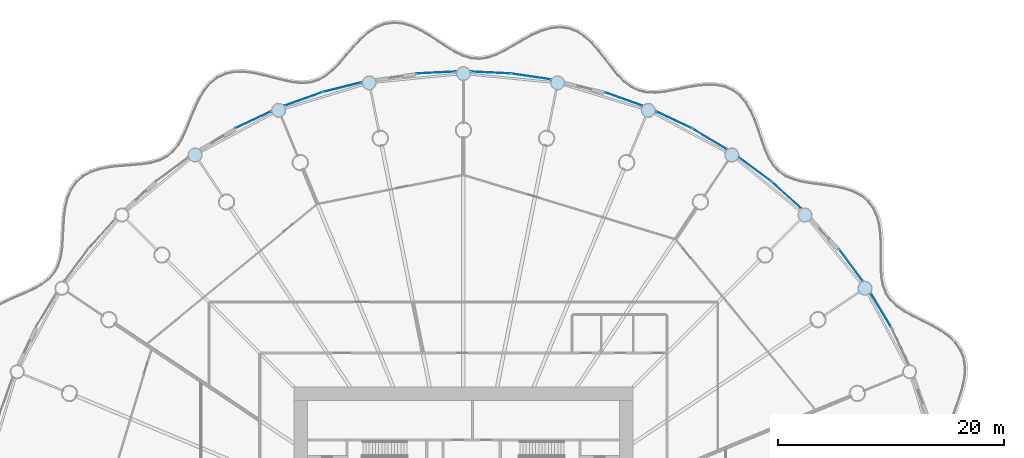
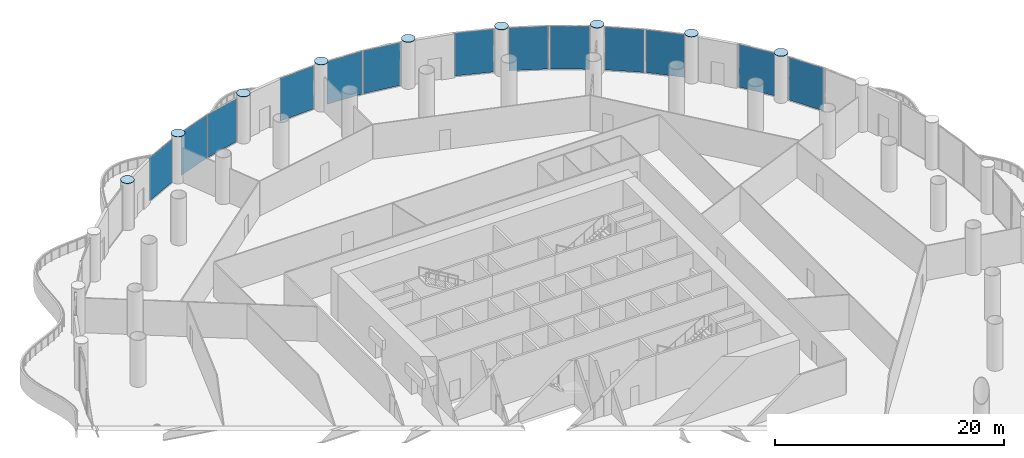
# One storey, part 23 of 38: 22 plates, 13 elements without a shape of their own.
"""IFC4 building model written with IfcOpenShell, lengths in metres."""

from ifc_helpers import new_model, si_unit, direction, frame, origin, origin_2d, place, context, subcontext, project, spatial, polyline, rectangle, outline, extrude, material, layer, layer_set, type_object, element, aggregate, save


model = new_model("IFC4")

# Units and contexts
model_context = context("Model", 3, precision=1e-05, world=origin(), true_north=direction((0.0, 1.0)))
body_context = subcontext(model_context, "Body", "Model", "MODEL_VIEW")
ifc_project = project(units=[si_unit("LENGTHUNIT", "METRE"), si_unit("AREAUNIT", "SQUARE_METRE"), si_unit("VOLUMEUNIT", "CUBIC_METRE"), si_unit("PLANEANGLEUNIT", "RADIAN"), si_unit("MASSUNIT", "GRAM", prefix="KILO")], contexts=[model_context])

# Site, building, storey
site_placement = place(None, origin())
site = spatial("IfcSite", under=ifc_project, at=site_placement, CompositionType="ELEMENT")
building_placement = place(site_placement, origin())
building = spatial("IfcBuilding", under=site, at=building_placement, Name="Corvane Civic Tower", CompositionType="ELEMENT")
storey_placement = place(building_placement, frame((0.0, 0.0, 32.0)))
storey = spatial("IfcBuildingStorey", under=building, at=storey_placement, Name="L06", CompositionType="ELEMENT", Elevation=32.0)

# Plates
ifc_material_1 = material(Name="Steel ASTM A572 Gr 50", Category="steel")
ifc_layer_1 = layer(ifc_material_1, 0.050048828125)
ifc_layer_set_1 = layer_set([ifc_layer_1], Name="Steel ASTM A572 Gr 50")
plate_type_1 = type_object("IfcPlateType", Name="COLUMN CAP PLATE 50", PredefinedType="SHEET", material=ifc_layer_set_1)
plate_1_placement = place(storey_placement, frame((0.0, 0.0, 5.0)))
element("IfcPlate", 1, at=plate_1_placement, inside=storey, type_object=plate_type_1, Name="PL-L06-cap-G01", PredefinedType="SHEET", context=body_context, shape_type="SweptSolid", body=[
    extrude(outline(polyline([(0.60009765625, 42.699951171875), (0.594970703125, 42.7783203125), (0.57958984375, 42.855224609375), (0.55419921875, 42.9296875), (0.51953125, 43.0), (0.47607421875, 43.065185546875), (0.42431640625, 43.124267578125), (0.365234375, 43.176025390625), (0.300048828125, 43.219482421875), (0.2294921875, 43.25439453125), (0.1552734375, 43.279541015625), (0.078369140625, 43.294921875), (0.0, 43.300048828125), (-0.078369140625, 43.294921875), (-0.1552734375, 43.279541015625), (-0.2294921875, 43.25439453125), (-0.300048828125, 43.219482421875), (-0.365234375, 43.176025390625), (-0.42431640625, 43.124267578125), (-0.47607421875, 43.065185546875), (-0.51953125, 43.0), (-0.55419921875, 42.9296875), (-0.57958984375, 42.855224609375), (-0.594970703125, 42.7783203125), (-0.60009765625, 42.699951171875), (-0.594970703125, 42.62158203125), (-0.57958984375, 42.544677734375), (-0.55419921875, 42.47021484375), (-0.51953125, 42.39990234375), (-0.47607421875, 42.334716796875), (-0.42431640625, 42.275634765625), (-0.365234375, 42.223876953125), (-0.300048828125, 42.180419921875), (-0.2294921875, 42.1455078125), (-0.1552734375, 42.120361328125), (-0.078369140625, 42.10498046875), (0.0, 42.10009765625), (0.078369140625, 42.10498046875), (0.1552734375, 42.120361328125), (0.2294921875, 42.1455078125), (0.300048828125, 42.180419921875), (0.365234375, 42.223876953125), (0.42431640625, 42.275634765625), (0.47607421875, 42.334716796875), (0.51953125, 42.39990234375), (0.55419921875, 42.47021484375), (0.57958984375, 42.544677734375), (0.594970703125, 42.62158203125), (0.60009765625, 42.699951171875)])), origin(), (0.0, 0.0, 1.0), 0.050048828125),
])
plate_2_placement = place(storey_placement, frame((0.0, 0.0, 5.0)))
element("IfcPlate", 2, at=plate_2_placement, inside=storey, type_object=plate_type_1, Name="PL-L06-cap-G02", PredefinedType="SHEET", context=body_context, shape_type="SweptSolid", body=[
    extrude(outline(polyline([(8.930419921875, 41.879638671875), (8.92529296875, 41.9580078125), (8.909912109375, 42.034912109375), (8.884521484375, 42.109130859375), (8.849853515625, 42.1796875), (8.806396484375, 42.244873046875), (8.754638671875, 42.303955078125), (8.695556640625, 42.355712890625), (8.63037109375, 42.3994140625), (8.559814453125, 42.43408203125), (8.485595703125, 42.459228515625), (8.40869140625, 42.474609375), (8.330322265625, 42.4794921875), (8.251953125, 42.474609375), (8.175048828125, 42.459228515625), (8.1005859375, 42.43408203125), (8.0302734375, 42.3994140625), (7.965087890625, 42.355712890625), (7.906005859375, 42.303955078125), (7.854248046875, 42.244873046875), (7.810791015625, 42.1796875), (7.77587890625, 42.109130859375), (7.750732421875, 42.034912109375), (7.735595703125, 41.9580078125), (7.730224609375, 41.879638671875), (7.735595703125, 41.80126953125), (7.750732421875, 41.724365234375), (7.77587890625, 41.64990234375), (7.810791015625, 41.57958984375), (7.854248046875, 41.514404296875), (7.906005859375, 41.455322265625), (7.965087890625, 41.403564453125), (8.0302734375, 41.360107421875), (8.1005859375, 41.3251953125), (8.175048828125, 41.300048828125), (8.251953125, 41.284912109375), (8.330322265625, 41.279541015625), (8.40869140625, 41.284912109375), (8.485595703125, 41.300048828125), (8.559814453125, 41.3251953125), (8.63037109375, 41.360107421875), (8.695556640625, 41.403564453125), (8.754638671875, 41.455322265625), (8.806396484375, 41.514404296875), (8.849853515625, 41.57958984375), (8.884521484375, 41.64990234375), (8.909912109375, 41.724365234375), (8.92529296875, 41.80126953125), (8.930419921875, 41.879638671875)])), origin(), (0.0, 0.0, 1.0), 0.050048828125),
])
plate_3_placement = place(storey_placement, frame((0.0, 0.0, 5.0)))
element("IfcPlate", 3, at=plate_3_placement, inside=storey, type_object=plate_type_1, Name="PL-L06-cap-G03", PredefinedType="SHEET", context=body_context, shape_type="SweptSolid", body=[
    extrude(outline(polyline([(16.940673828125, 39.44970703125), (16.935302734375, 39.528076171875), (16.920166015625, 39.60498046875), (16.89501953125, 39.67919921875), (16.860107421875, 39.749755859375), (16.816650390625, 39.81494140625), (16.764892578125, 39.8740234375), (16.705810546875, 39.92578125), (16.640625, 39.96923828125), (16.5703125, 40.00390625), (16.495849609375, 40.029296875), (16.4189453125, 40.044677734375), (16.340576171875, 40.0498046875), (16.26220703125, 40.044677734375), (16.185302734375, 40.029296875), (16.111083984375, 40.00390625), (16.04052734375, 39.96923828125), (15.975341796875, 39.92578125), (15.916259765625, 39.8740234375), (15.864501953125, 39.81494140625), (15.821044921875, 39.749755859375), (15.7861328125, 39.67919921875), (15.760986328125, 39.60498046875), (15.74560546875, 39.528076171875), (15.740478515625, 39.44970703125), (15.74560546875, 39.371337890625), (15.760986328125, 39.29443359375), (15.7861328125, 39.22021484375), (15.821044921875, 39.149658203125), (15.864501953125, 39.08447265625), (15.916259765625, 39.025390625), (15.975341796875, 38.9736328125), (16.04052734375, 38.93017578125), (16.111083984375, 38.8955078125), (16.185302734375, 38.8701171875), (16.26220703125, 38.854736328125), (16.340576171875, 38.849609375), (16.4189453125, 38.854736328125), (16.495849609375, 38.8701171875), (16.5703125, 38.8955078125), (16.640625, 38.93017578125), (16.705810546875, 38.9736328125), (16.764892578125, 39.025390625), (16.816650390625, 39.08447265625), (16.860107421875, 39.149658203125), (16.89501953125, 39.22021484375), (16.920166015625, 39.29443359375), (16.935302734375, 39.371337890625), (16.940673828125, 39.44970703125)])), origin(), (0.0, 0.0, 1.0), 0.050048828125),
])
plate_4_placement = place(storey_placement, frame((0.0, 0.0, 5.0)))
element("IfcPlate", 4, at=plate_4_placement, inside=storey, type_object=plate_type_1, Name="PL-L06-cap-G04", PredefinedType="SHEET", context=body_context, shape_type="SweptSolid", body=[
    extrude(outline(polyline([(24.322998046875, 35.503662109375), (24.31787109375, 35.58203125), (24.302490234375, 35.658935546875), (24.277099609375, 35.7333984375), (24.242431640625, 35.8037109375), (24.198974609375, 35.868896484375), (24.147216796875, 35.927978515625), (24.088134765625, 35.979736328125), (24.02294921875, 36.023193359375), (23.952392578125, 36.05810546875), (23.878173828125, 36.083251953125), (23.80126953125, 36.098388671875), (23.722900390625, 36.103759765625), (23.64453125, 36.098388671875), (23.567626953125, 36.083251953125), (23.493408203125, 36.05810546875), (23.4228515625, 36.023193359375), (23.357666015625, 35.979736328125), (23.298583984375, 35.927978515625), (23.246826171875, 35.868896484375), (23.203369140625, 35.8037109375), (23.168701171875, 35.7333984375), (23.143310546875, 35.658935546875), (23.1279296875, 35.58203125), (23.122802734375, 35.503662109375), (23.1279296875, 35.42529296875), (23.143310546875, 35.348388671875), (23.168701171875, 35.274169921875), (23.203369140625, 35.20361328125), (23.246826171875, 35.138427734375), (23.298583984375, 35.079345703125), (23.357666015625, 35.027587890625), (23.4228515625, 34.98388671875), (23.493408203125, 34.94921875), (23.567626953125, 34.924072265625), (23.64453125, 34.90869140625), (23.722900390625, 34.90380859375), (23.80126953125, 34.90869140625), (23.878173828125, 34.924072265625), (23.952392578125, 34.94921875), (24.02294921875, 34.98388671875), (24.088134765625, 35.027587890625), (24.147216796875, 35.079345703125), (24.198974609375, 35.138427734375), (24.242431640625, 35.20361328125), (24.277099609375, 35.274169921875), (24.302490234375, 35.348388671875), (24.31787109375, 35.42529296875), (24.322998046875, 35.503662109375)])), origin(), (0.0, 0.0, 1.0), 0.050048828125),
])
plate_5_placement = place(storey_placement, frame((0.0, 0.0, 5.0)))
element("IfcPlate", 5, at=plate_5_placement, inside=storey, type_object=plate_type_1, Name="PL-L06-cap-G05", PredefinedType="SHEET", context=body_context, shape_type="SweptSolid", body=[
    extrude(outline(polyline([(30.79345703125, 30.193359375), (30.7880859375, 30.271728515625), (30.77294921875, 30.3486328125), (30.747802734375, 30.423095703125), (30.712890625, 30.493408203125), (30.66943359375, 30.55859375), (30.61767578125, 30.61767578125), (30.55859375, 30.66943359375), (30.493408203125, 30.712890625), (30.423095703125, 30.747802734375), (30.3486328125, 30.77294921875), (30.271728515625, 30.7880859375), (30.193359375, 30.79345703125), (30.114990234375, 30.7880859375), (30.0380859375, 30.77294921875), (29.963623046875, 30.747802734375), (29.893310546875, 30.712890625), (29.828125, 30.66943359375), (29.76904296875, 30.61767578125), (29.71728515625, 30.55859375), (29.673583984375, 30.493408203125), (29.638916015625, 30.423095703125), (29.61376953125, 30.3486328125), (29.598388671875, 30.271728515625), (29.593505859375, 30.193359375), (29.598388671875, 30.114990234375), (29.61376953125, 30.0380859375), (29.638916015625, 29.963623046875), (29.673583984375, 29.893310546875), (29.71728515625, 29.828125), (29.76904296875, 29.76904296875), (29.828125, 29.71728515625), (29.893310546875, 29.673583984375), (29.963623046875, 29.638916015625), (30.0380859375, 29.61376953125), (30.114990234375, 29.598388671875), (30.193359375, 29.593505859375), (30.271728515625, 29.598388671875), (30.3486328125, 29.61376953125), (30.423095703125, 29.638916015625), (30.493408203125, 29.673583984375), (30.55859375, 29.71728515625), (30.61767578125, 29.76904296875), (30.66943359375, 29.828125), (30.712890625, 29.893310546875), (30.747802734375, 29.963623046875), (30.77294921875, 30.0380859375), (30.7880859375, 30.114990234375), (30.79345703125, 30.193359375)])), origin(), (0.0, 0.0, 1.0), 0.050048828125),
])
plate_6_placement = place(storey_placement, frame((0.0, 0.0, 5.0)))
element("IfcPlate", 6, at=plate_6_placement, inside=storey, type_object=plate_type_1, Name="PL-L06-cap-G06", PredefinedType="SHEET", context=body_context, shape_type="SweptSolid", body=[
    extrude(outline(polyline([(36.103759765625, 23.722900390625), (36.098388671875, 23.80126953125), (36.083251953125, 23.878173828125), (36.05810546875, 23.952392578125), (36.023193359375, 24.02294921875), (35.979736328125, 24.088134765625), (35.927978515625, 24.147216796875), (35.868896484375, 24.198974609375), (35.8037109375, 24.242431640625), (35.7333984375, 24.277099609375), (35.658935546875, 24.302490234375), (35.58203125, 24.31787109375), (35.503662109375, 24.322998046875), (35.42529296875, 24.31787109375), (35.348388671875, 24.302490234375), (35.274169921875, 24.277099609375), (35.20361328125, 24.242431640625), (35.138427734375, 24.198974609375), (35.079345703125, 24.147216796875), (35.027587890625, 24.088134765625), (34.98388671875, 24.02294921875), (34.94921875, 23.952392578125), (34.924072265625, 23.878173828125), (34.90869140625, 23.80126953125), (34.90380859375, 23.722900390625), (34.90869140625, 23.64453125), (34.924072265625, 23.567626953125), (34.94921875, 23.493408203125), (34.98388671875, 23.4228515625), (35.027587890625, 23.357666015625), (35.079345703125, 23.298583984375), (35.138427734375, 23.246826171875), (35.20361328125, 23.203369140625), (35.274169921875, 23.168701171875), (35.348388671875, 23.143310546875), (35.42529296875, 23.1279296875), (35.503662109375, 23.122802734375), (35.58203125, 23.1279296875), (35.658935546875, 23.143310546875), (35.7333984375, 23.168701171875), (35.8037109375, 23.203369140625), (35.868896484375, 23.246826171875), (35.927978515625, 23.298583984375), (35.979736328125, 23.357666015625), (36.023193359375, 23.4228515625), (36.05810546875, 23.493408203125), (36.083251953125, 23.567626953125), (36.098388671875, 23.64453125), (36.103759765625, 23.722900390625)])), origin(), (0.0, 0.0, 1.0), 0.050048828125),
])
plate_7_placement = place(storey_placement, frame((0.0, 0.0, 5.0)))
element("IfcPlate", 7, at=plate_7_placement, inside=storey, type_object=plate_type_1, Name="PL-L06-cap-G30", PredefinedType="SHEET", context=body_context, shape_type="SweptSolid", body=[
    extrude(outline(polyline([(-23.122802734375, 35.503662109375), (-23.1279296875, 35.58203125), (-23.143310546875, 35.658935546875), (-23.168701171875, 35.7333984375), (-23.203369140625, 35.8037109375), (-23.246826171875, 35.868896484375), (-23.298583984375, 35.927978515625), (-23.357666015625, 35.979736328125), (-23.4228515625, 36.023193359375), (-23.493408203125, 36.05810546875), (-23.567626953125, 36.083251953125), (-23.64453125, 36.098388671875), (-23.722900390625, 36.103759765625), (-23.80126953125, 36.098388671875), (-23.878173828125, 36.083251953125), (-23.952392578125, 36.05810546875), (-24.02294921875, 36.023193359375), (-24.088134765625, 35.979736328125), (-24.147216796875, 35.927978515625), (-24.198974609375, 35.868896484375), (-24.242431640625, 35.8037109375), (-24.277099609375, 35.7333984375), (-24.302490234375, 35.658935546875), (-24.31787109375, 35.58203125), (-24.322998046875, 35.503662109375), (-24.31787109375, 35.42529296875), (-24.302490234375, 35.348388671875), (-24.277099609375, 35.274169921875), (-24.242431640625, 35.20361328125), (-24.198974609375, 35.138427734375), (-24.147216796875, 35.079345703125), (-24.088134765625, 35.027587890625), (-24.02294921875, 34.98388671875), (-23.952392578125, 34.94921875), (-23.878173828125, 34.924072265625), (-23.80126953125, 34.90869140625), (-23.722900390625, 34.90380859375), (-23.64453125, 34.90869140625), (-23.567626953125, 34.924072265625), (-23.493408203125, 34.94921875), (-23.4228515625, 34.98388671875), (-23.357666015625, 35.027587890625), (-23.298583984375, 35.079345703125), (-23.246826171875, 35.138427734375), (-23.203369140625, 35.20361328125), (-23.168701171875, 35.274169921875), (-23.143310546875, 35.348388671875), (-23.1279296875, 35.42529296875), (-23.122802734375, 35.503662109375)])), origin(), (0.0, 0.0, 1.0), 0.050048828125),
])
plate_8_placement = place(storey_placement, frame((0.0, 0.0, 5.0)))
element("IfcPlate", 8, at=plate_8_placement, inside=storey, type_object=plate_type_1, Name="PL-L06-cap-G31", PredefinedType="SHEET", context=body_context, shape_type="SweptSolid", body=[
    extrude(outline(polyline([(-15.740478515625, 39.44970703125), (-15.74560546875, 39.528076171875), (-15.760986328125, 39.60498046875), (-15.7861328125, 39.67919921875), (-15.821044921875, 39.749755859375), (-15.864501953125, 39.81494140625), (-15.916259765625, 39.8740234375), (-15.975341796875, 39.92578125), (-16.04052734375, 39.96923828125), (-16.111083984375, 40.00390625), (-16.185302734375, 40.029296875), (-16.26220703125, 40.044677734375), (-16.340576171875, 40.0498046875), (-16.4189453125, 40.044677734375), (-16.495849609375, 40.029296875), (-16.5703125, 40.00390625), (-16.640625, 39.96923828125), (-16.705810546875, 39.92578125), (-16.764892578125, 39.8740234375), (-16.816650390625, 39.81494140625), (-16.860107421875, 39.749755859375), (-16.89501953125, 39.67919921875), (-16.920166015625, 39.60498046875), (-16.935302734375, 39.528076171875), (-16.940673828125, 39.44970703125), (-16.935302734375, 39.371337890625), (-16.920166015625, 39.29443359375), (-16.89501953125, 39.22021484375), (-16.860107421875, 39.149658203125), (-16.816650390625, 39.08447265625), (-16.764892578125, 39.025390625), (-16.705810546875, 38.9736328125), (-16.640625, 38.93017578125), (-16.5703125, 38.8955078125), (-16.495849609375, 38.8701171875), (-16.4189453125, 38.854736328125), (-16.340576171875, 38.849609375), (-16.26220703125, 38.854736328125), (-16.185302734375, 38.8701171875), (-16.111083984375, 38.8955078125), (-16.04052734375, 38.93017578125), (-15.975341796875, 38.9736328125), (-15.916259765625, 39.025390625), (-15.864501953125, 39.08447265625), (-15.821044921875, 39.149658203125), (-15.7861328125, 39.22021484375), (-15.760986328125, 39.29443359375), (-15.74560546875, 39.371337890625), (-15.740478515625, 39.44970703125)])), origin(), (0.0, 0.0, 1.0), 0.050048828125),
])
plate_9_placement = place(storey_placement, frame((0.0, 0.0, 5.0)))
element("IfcPlate", 9, at=plate_9_placement, inside=storey, type_object=plate_type_1, Name="PL-L06-cap-G32", PredefinedType="SHEET", context=body_context, shape_type="SweptSolid", body=[
    extrude(outline(polyline([(-7.730224609375, 41.879638671875), (-7.735595703125, 41.9580078125), (-7.750732421875, 42.034912109375), (-7.77587890625, 42.109130859375), (-7.810791015625, 42.1796875), (-7.854248046875, 42.244873046875), (-7.906005859375, 42.303955078125), (-7.965087890625, 42.355712890625), (-8.0302734375, 42.3994140625), (-8.1005859375, 42.43408203125), (-8.175048828125, 42.459228515625), (-8.251953125, 42.474609375), (-8.330322265625, 42.4794921875), (-8.40869140625, 42.474609375), (-8.485595703125, 42.459228515625), (-8.559814453125, 42.43408203125), (-8.63037109375, 42.3994140625), (-8.695556640625, 42.355712890625), (-8.754638671875, 42.303955078125), (-8.806396484375, 42.244873046875), (-8.849853515625, 42.1796875), (-8.884521484375, 42.109130859375), (-8.909912109375, 42.034912109375), (-8.92529296875, 41.9580078125), (-8.930419921875, 41.879638671875), (-8.92529296875, 41.80126953125), (-8.909912109375, 41.724365234375), (-8.884521484375, 41.64990234375), (-8.849853515625, 41.57958984375), (-8.806396484375, 41.514404296875), (-8.754638671875, 41.455322265625), (-8.695556640625, 41.403564453125), (-8.63037109375, 41.360107421875), (-8.559814453125, 41.3251953125), (-8.485595703125, 41.300048828125), (-8.40869140625, 41.284912109375), (-8.330322265625, 41.279541015625), (-8.251953125, 41.284912109375), (-8.175048828125, 41.300048828125), (-8.1005859375, 41.3251953125), (-8.0302734375, 41.360107421875), (-7.965087890625, 41.403564453125), (-7.906005859375, 41.455322265625), (-7.854248046875, 41.514404296875), (-7.810791015625, 41.57958984375), (-7.77587890625, 41.64990234375), (-7.750732421875, 41.724365234375), (-7.735595703125, 41.80126953125), (-7.730224609375, 41.879638671875)])), origin(), (0.0, 0.0, 1.0), 0.050048828125),
])

# Curtain wall, plate
ifc_material_2 = material(Name="Aluminium and glass", Category="aluminium")
curtain_wall_type = type_object("IfcCurtainWallType", Name="PODIUM-CW-P-RUN", PredefinedType="NOTDEFINED", material=ifc_material_2)
curtain_wall_1_placement = place(storey_placement, origin())
curtain_wall_1 = element("IfcCurtainWall", 10, at=curtain_wall_1_placement, inside=storey, type_object=curtain_wall_type, Name="PODI run L06-drum-01A", PredefinedType="NOTDEFINED")
ifc_material_3 = material(Name="Glass tinted low-e laminated", Category="glass")
ifc_layer_2 = layer(ifc_material_3, 0.031982421875)
ifc_layer_set_2 = layer_set([ifc_layer_2], Name="Glass tinted low-e laminated")
plate_type_2 = type_object("IfcPlateType", Name="PODIUM-CWP-PANEL-IGU32", PredefinedType="CURTAIN_PANEL", material=ifc_layer_set_2)
plate_10_placement = place(storey_placement, frame((2.402587890625, 42.7919921875, 0.06005859375), z_axis=(0.0, 0.0, 1.0), x_axis=(0.998796316803, -0.04905015332, 0.0)))
plate_10 = element("IfcPlate", 11, at=plate_10_placement, type_object=plate_type_2, Name="CW-P panel 1.1", PredefinedType="CURTAIN_PANEL", context=body_context, shape_type="SweptSolid", body=[
    extrude(rectangle(XDim=3.4599609375, YDim=0.031982421875, at=origin_2d()), origin(), (0.0, 0.0, 1.0), 4.580078125),
])
aggregate(curtain_wall_1, [plate_10])

curtain_wall_2_placement = place(storey_placement, origin())
curtain_wall_2 = element("IfcCurtainWall", 12, at=curtain_wall_2_placement, inside=storey, type_object=curtain_wall_type, Name="PODI run L06-drum-01B", PredefinedType="NOTDEFINED")
plate_11_placement = place(storey_placement, frame((5.991943359375, 42.4384765625, 0.06005859375), z_axis=(0.0, 0.0, 1.0), x_axis=(0.989178850608, -0.146714694252, 0.0)))
plate_11 = element("IfcPlate", 13, at=plate_11_placement, type_object=plate_type_2, Name="CW-P panel 1.1", PredefinedType="CURTAIN_PANEL", context=body_context, shape_type="SweptSolid", body=[
    extrude(rectangle(XDim=3.459716796875, YDim=0.031982421875, at=origin_2d()), origin(), (0.0, 0.0, 1.0), 4.580078125),
])
aggregate(curtain_wall_2, [plate_11])

curtain_wall_3_placement = place(storey_placement, origin())
curtain_wall_3 = element("IfcCurtainWall", 14, at=curtain_wall_3_placement, inside=storey, type_object=curtain_wall_type, Name="PODI run L06-drum-02B", PredefinedType="NOTDEFINED")
plate_12_placement = place(storey_placement, frame((14.156005859375, 40.453857421875, 0.06005859375), z_axis=(0.0, 0.0, 1.0), x_axis=(0.941533802561, -0.336918534123, 0.0)))
plate_12 = element("IfcPlate", 15, at=plate_12_placement, type_object=plate_type_2, Name="CW-P panel 1.1", PredefinedType="CURTAIN_PANEL", context=body_context, shape_type="SweptSolid", body=[
    extrude(rectangle(XDim=3.459716796875, YDim=0.031982421875, at=origin_2d()), origin(), (0.0, 0.0, 1.0), 4.580078125),
])
aggregate(curtain_wall_3, [plate_12])

curtain_wall_4_placement = place(storey_placement, origin())
curtain_wall_4 = element("IfcCurtainWall", 16, at=curtain_wall_4_placement, inside=storey, type_object=curtain_wall_type, Name="PODI run L06-drum-03A", PredefinedType="NOTDEFINED")
plate_13_placement = place(storey_placement, frame((18.595458984375, 38.614990234375, 0.06005859375), z_axis=(0.0, 0.0, 1.0), x_axis=(0.903990222454, -0.42755312852, 0.0)))
plate_13 = element("IfcPlate", 17, at=plate_13_placement, type_object=plate_type_2, Name="CW-P panel 1.1", PredefinedType="CURTAIN_PANEL", context=body_context, shape_type="SweptSolid", body=[
    extrude(rectangle(XDim=3.4599609375, YDim=0.031982421875, at=origin_2d()), origin(), (0.0, 0.0, 1.0), 4.580078125),
])
aggregate(curtain_wall_4, [plate_13])

curtain_wall_5_placement = place(storey_placement, origin())
curtain_wall_5 = element("IfcCurtainWall", 18, at=curtain_wall_5_placement, inside=storey, type_object=curtain_wall_type, Name="PODI run L06-drum-03B", PredefinedType="NOTDEFINED")
plate_14_placement = place(storey_placement, frame((21.776123046875, 36.914794921875, 0.06005859375), z_axis=(0.0, 0.0, 1.0), x_axis=(0.857719609779, -0.514117759857, 0.0)))
plate_14 = element("IfcPlate", 19, at=plate_14_placement, type_object=plate_type_2, Name="CW-P panel 1.1", PredefinedType="CURTAIN_PANEL", context=body_context, shape_type="SweptSolid", body=[
    extrude(rectangle(XDim=3.459716796875, YDim=0.031982421875, at=origin_2d()), origin(), (0.0, 0.0, 1.0), 4.580078125),
])
aggregate(curtain_wall_5, [plate_14])

curtain_wall_6_placement = place(storey_placement, origin())
curtain_wall_6 = element("IfcCurtainWall", 20, at=curtain_wall_6_placement, inside=storey, type_object=curtain_wall_type, Name="PODI run L06-drum-04A", PredefinedType="NOTDEFINED")
plate_15_placement = place(storey_placement, frame((25.771484375, 34.245361328125, 0.06005859375), z_axis=(0.0, 0.0, 1.0), x_axis=(0.803203229747, -0.595705104665, 0.0)))
plate_15 = element("IfcPlate", 21, at=plate_15_placement, type_object=plate_type_2, Name="CW-P panel 1.1", PredefinedType="CURTAIN_PANEL", context=body_context, shape_type="SweptSolid", body=[
    extrude(rectangle(XDim=3.459716796875, YDim=0.031982421875, at=origin_2d()), origin(), (0.0, 0.0, 1.0), 4.580078125),
])
aggregate(curtain_wall_6, [plate_15])

curtain_wall_7_placement = place(storey_placement, origin())
curtain_wall_7 = element("IfcCurtainWall", 22, at=curtain_wall_7_placement, inside=storey, type_object=curtain_wall_type, Name="PODI run L06-drum-04B", PredefinedType="NOTDEFINED")
plate_16_placement = place(storey_placement, frame((28.5595703125, 31.957275390625, 0.06005859375), z_axis=(0.0, 0.0, 1.0), x_axis=(0.740935261089, -0.671576457952, 0.0)))
plate_16 = element("IfcPlate", 23, at=plate_16_placement, type_object=plate_type_2, Name="CW-P panel 1.1", PredefinedType="CURTAIN_PANEL", context=body_context, shape_type="SweptSolid", body=[
    extrude(rectangle(XDim=3.4599609375, YDim=0.031982421875, at=origin_2d()), origin(), (0.0, 0.0, 1.0), 4.580078125),
])
aggregate(curtain_wall_7, [plate_16])

curtain_wall_8_placement = place(storey_placement, origin())
curtain_wall_8 = element("IfcCurtainWall", 24, at=curtain_wall_8_placement, inside=storey, type_object=curtain_wall_type, Name="PODI run L06-drum-05B", PredefinedType="NOTDEFINED")
plate_17_placement = place(storey_placement, frame((34.245361328125, 25.771484375, 0.06005859375), z_axis=(0.0, 0.0, 1.0), x_axis=(0.595705104665, -0.803203229747, 0.0)))
plate_17 = element("IfcPlate", 25, at=plate_17_placement, type_object=plate_type_2, Name="CW-P panel 1.1", PredefinedType="CURTAIN_PANEL", context=body_context, shape_type="SweptSolid", body=[
    extrude(rectangle(XDim=3.459716796875, YDim=0.031982421875, at=origin_2d()), origin(), (0.0, 0.0, 1.0), 4.580078125),
])
aggregate(curtain_wall_8, [plate_17])

curtain_wall_9_placement = place(storey_placement, origin())
curtain_wall_9 = element("IfcCurtainWall", 26, at=curtain_wall_9_placement, inside=storey, type_object=curtain_wall_type, Name="PODI run L06-drum-06A", PredefinedType="NOTDEFINED")
plate_18_placement = place(storey_placement, frame((36.914794921875, 21.776123046875, 0.06005859375), z_axis=(0.0, 0.0, 1.0), x_axis=(0.514117759857, -0.857719609779, 0.0)))
plate_18 = element("IfcPlate", 27, at=plate_18_placement, type_object=plate_type_2, Name="CW-P panel 1.1", PredefinedType="CURTAIN_PANEL", context=body_context, shape_type="SweptSolid", body=[
    extrude(rectangle(XDim=3.459716796875, YDim=0.031982421875, at=origin_2d()), origin(), (0.0, 0.0, 1.0), 4.580078125),
])
aggregate(curtain_wall_9, [plate_18])

curtain_wall_10_placement = place(storey_placement, origin())
curtain_wall_10 = element("IfcCurtainWall", 28, at=curtain_wall_10_placement, inside=storey, type_object=curtain_wall_type, Name="PODI run L06-drum-30B", PredefinedType="NOTDEFINED")
plate_19_placement = place(storey_placement, frame((-18.595458984375, 38.614990234375, 0.06005859375), z_axis=(0.0, 0.0, 1.0), x_axis=(0.903990222454, 0.42755312852, 0.0)))
plate_19 = element("IfcPlate", 29, at=plate_19_placement, type_object=plate_type_2, Name="CW-P panel 1.1", PredefinedType="CURTAIN_PANEL", context=body_context, shape_type="SweptSolid", body=[
    extrude(rectangle(XDim=3.4599609375, YDim=0.031982421875, at=origin_2d()), origin(), (0.0, 0.0, 1.0), 4.580078125),
])
aggregate(curtain_wall_10, [plate_19])

curtain_wall_11_placement = place(storey_placement, origin())
curtain_wall_11 = element("IfcCurtainWall", 30, at=curtain_wall_11_placement, inside=storey, type_object=curtain_wall_type, Name="PODI run L06-drum-31A", PredefinedType="NOTDEFINED")
plate_20_placement = place(storey_placement, frame((-14.156005859375, 40.453857421875, 0.06005859375), z_axis=(0.0, 0.0, 1.0), x_axis=(0.941533802561, 0.336918534123, 0.0)))
plate_20 = element("IfcPlate", 31, at=plate_20_placement, type_object=plate_type_2, Name="CW-P panel 1.1", PredefinedType="CURTAIN_PANEL", context=body_context, shape_type="SweptSolid", body=[
    extrude(rectangle(XDim=3.459716796875, YDim=0.031982421875, at=origin_2d()), origin(), (0.0, 0.0, 1.0), 4.580078125),
])
aggregate(curtain_wall_11, [plate_20])

curtain_wall_12_placement = place(storey_placement, origin())
curtain_wall_12 = element("IfcCurtainWall", 32, at=curtain_wall_12_placement, inside=storey, type_object=curtain_wall_type, Name="PODI run L06-drum-31B", PredefinedType="NOTDEFINED")
plate_21_placement = place(storey_placement, frame((-10.70458984375, 41.5009765625, 0.06005859375), z_axis=(0.0, 0.0, 1.0), x_axis=(0.970024070659, 0.243008852393, 0.0)))
plate_21 = element("IfcPlate", 33, at=plate_21_placement, type_object=plate_type_2, Name="CW-P panel 1.1", PredefinedType="CURTAIN_PANEL", context=body_context, shape_type="SweptSolid", body=[
    extrude(rectangle(XDim=3.459716796875, YDim=0.031982421875, at=origin_2d()), origin(), (0.0, 0.0, 1.0), 4.580078125),
])
aggregate(curtain_wall_12, [plate_21])

curtain_wall_13_placement = place(storey_placement, origin())
curtain_wall_13 = element("IfcCurtainWall", 34, at=curtain_wall_13_placement, inside=storey, type_object=curtain_wall_type, Name="PODI run L06-drum-32B", PredefinedType="NOTDEFINED")
plate_22_placement = place(storey_placement, frame((-2.402587890625, 42.7919921875, 0.06005859375), z_axis=(0.0, 0.0, 1.0), x_axis=(0.998796316803, 0.04905015332, 0.0)))
plate_22 = element("IfcPlate", 35, at=plate_22_placement, type_object=plate_type_2, Name="CW-P panel 1.1", PredefinedType="CURTAIN_PANEL", context=body_context, shape_type="SweptSolid", body=[
    extrude(rectangle(XDim=3.4599609375, YDim=0.031982421875, at=origin_2d()), origin(), (0.0, 0.0, 1.0), 4.580078125),
])
aggregate(curtain_wall_13, [plate_22])

save(model, "model.ifc")
